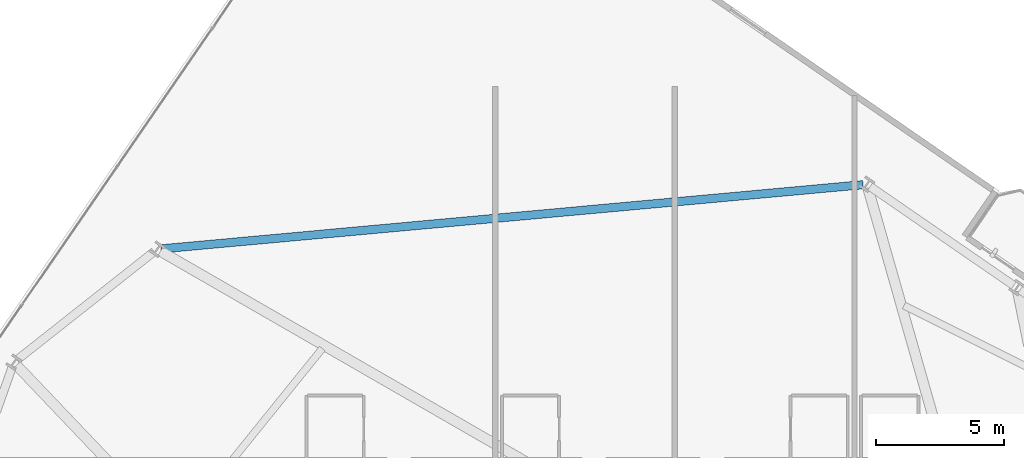
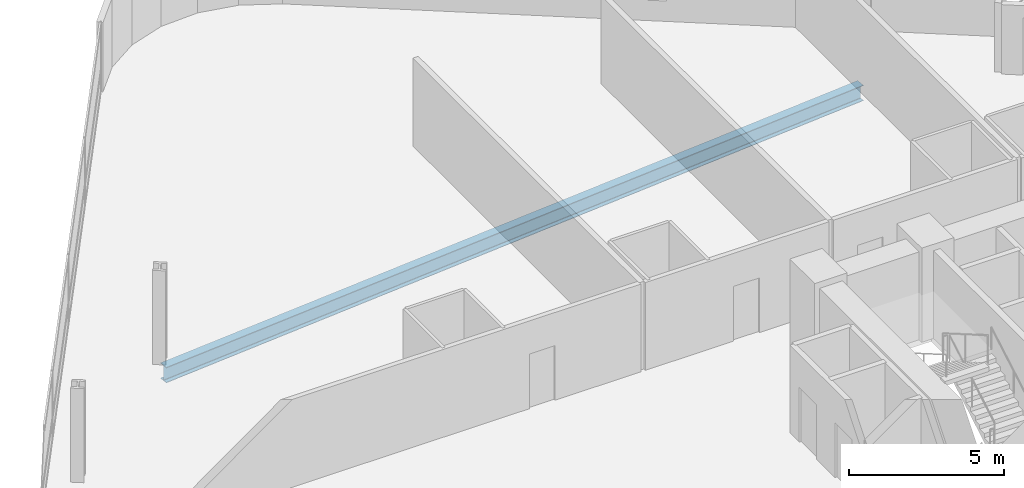
# One storey, part 14 of 25: 1 beam.
"""IFC4 building model written with IfcOpenShell, lengths in metres."""

import ifcopenshell
import ifcopenshell.guid

model = None  # the IFC model being written
_history = None  # IfcOwnerHistory: only IFC2X3 demands one
_inside = {}  # id of a spatial element -> (the spatial element, [elements in it])
_under = {}  # id of a project, library or spatial element -> (it, [spatial elements below it])
_declared = {}  # id of a project -> (the project, [libraries it declares])
_typed = {}  # id of a type object -> (the type object, [elements of that type])
_made_of = {}  # id of a material, layer set ... -> (it, [elements and type objects made of it])


def new_model(schema):
    """Start an empty IFC model of exactly this schema.

    Asked for "IFC4X3", IfcOpenShell would pick the latest addendum, in which some entities
    have other attributes; the version numbers below select the first issue.
    IFC2X3 requires an IfcOwnerHistory on every rooted entity: one is made here for all.
    """
    global model, _history
    if schema == "IFC4X3":
        model = ifcopenshell.file(schema_version=(4, 3, 0, 0))
    else:
        model = ifcopenshell.file(schema=schema)
    _inside.clear()
    _under.clear()
    _declared.clear()
    _typed.clear()
    _made_of.clear()
    _history = None
    if model.schema == "IFC2X3":
        org = make("IfcOrganization", Name="unknown")
        user = make(
            "IfcPersonAndOrganization",
            ThePerson=make("IfcPerson", FamilyName="unknown"),
            TheOrganization=org,
        )
        app = make(
            "IfcApplication",
            ApplicationDeveloper=org,
            Version="unknown",
            ApplicationFullName="unknown",
            ApplicationIdentifier="unknown",
        )
        _history = make(
            "IfcOwnerHistory",
            OwningUser=user,
            OwningApplication=app,
            ChangeAction="ADDED",
            CreationDate=0,
        )
    return model


def make(cls, **values):
    """One entity of the class cls with the attributes given. An attribute that is None is left unset."""
    return model.create_entity(
        cls, **{name: value for name, value in values.items() if value is not None}
    )


def rooted(cls, **values):
    """An entity with a GlobalId (a new one), such as an element, a storey or a relation."""
    return make(cls, GlobalId=ifcopenshell.guid.new(), OwnerHistory=_history, **values)


def si_unit(unit_type, name, prefix=None):
    """IfcSIUnit, for example si_unit("LENGTHUNIT", "METRE", prefix="MILLI")."""
    return make("IfcSIUnit", UnitType=unit_type, Prefix=prefix, Name=name)


def assignment(units):
    """IfcUnitAssignment: the units of a project."""
    return None if units is None else make("IfcUnitAssignment", Units=units)


def point(xyz):
    """IfcCartesianPoint."""
    return None if xyz is None else make("IfcCartesianPoint", Coordinates=xyz)


def direction(xyz):
    """IfcDirection."""
    return None if xyz is None else make("IfcDirection", DirectionRatios=xyz)


def frame(location, z_axis=None, x_axis=None):
    """IfcAxis2Placement3D, a coordinate frame: its origin and axes. An axis left out is left unset."""
    return make(
        "IfcAxis2Placement3D",
        Location=point(location),
        Axis=direction(z_axis),
        RefDirection=direction(x_axis),
    )


def frame_2d(location, x_axis=None):
    """IfcAxis2Placement2D, a coordinate frame in the plane: its origin and x axis."""
    return make(
        "IfcAxis2Placement2D", Location=point(location), RefDirection=direction(x_axis)
    )


def origin():
    """The frame at (0, 0, 0) with its axes left unset."""
    return frame((0.0, 0.0, 0.0))


def origin_2d():
    """The frame at (0, 0) in the plane with its x axis left unset."""
    return frame_2d((0.0, 0.0))


def place(relative_to, where):
    """IfcLocalPlacement: puts the frame where relative to a parent placement (None: the world)."""
    return make(
        "IfcLocalPlacement", PlacementRelTo=relative_to, RelativePlacement=where
    )


def context(
    kind, dimensions, precision=None, world=None, true_north=None, identifier=None
):
    """IfcGeometricRepresentationContext, for example the 3D "Model" context."""
    return make(
        "IfcGeometricRepresentationContext",
        ContextIdentifier=identifier,
        ContextType=kind,
        CoordinateSpaceDimension=dimensions,
        Precision=precision,
        WorldCoordinateSystem=world,
        TrueNorth=true_north,
    )


def subcontext(parent, identifier, kind, view, scale=None):
    """IfcGeometricRepresentationSubContext, for example "Body" below "Model"."""
    return make(
        "IfcGeometricRepresentationSubContext",
        ContextIdentifier=identifier,
        ContextType=kind,
        ParentContext=parent,
        TargetScale=scale,
        TargetView=view,
    )


def project(units=None, contexts=None):
    """IfcProject with its units and contexts."""
    return rooted(
        "IfcProject",
        Name="project",
        RepresentationContexts=contexts,
        UnitsInContext=assignment(units),
    )


def spatial(cls, under=None, at=None, **own):
    """A site, building, storey or space (cls), placed at a placement, below another one or the project."""
    s = rooted(cls, ObjectPlacement=at, **own)
    if under is not None:
        _under.setdefault(under.id(), (under, []))[1].append(s)
    return s


def profile(cls, at=None, kind="AREA", **sizes):
    """A parametric profile (cls). Its sizes go by their IFC names, for example OverallWidth=200.0."""
    return make(cls, ProfileType=kind, Position=at, **sizes)


def i_section(**sizes):
    """IfcIShapeProfileDef."""
    return profile("IfcIShapeProfileDef", **sizes)


def extrude(swept, where, along, depth):
    """IfcExtrudedAreaSolid: the profile swept, set in the frame where, extruded along a direction by depth."""
    return make(
        "IfcExtrudedAreaSolid",
        SweptArea=swept,
        Position=where,
        ExtrudedDirection=direction(along),
        Depth=depth,
    )


def shape(context_of_items, identifier, shape_type, items):
    """IfcShapeRepresentation: the items that make up one representation, for example the "Body"."""
    return make(
        "IfcShapeRepresentation",
        ContextOfItems=context_of_items,
        RepresentationIdentifier=identifier,
        RepresentationType=shape_type,
        Items=items,
    )


def material(Name=None, Category=None):
    """IfcMaterial."""
    return make("IfcMaterial", Name=Name, Category=Category)


def material_profile(
    of_material, cross_section, Name=None, Category=None, Priority=None
):
    """IfcMaterialProfile: a cross section and its material."""
    return make(
        "IfcMaterialProfile",
        Name=Name,
        Material=of_material,
        Profile=cross_section,
        Priority=Priority,
        Category=Category,
    )


def profile_set(profiles, Name=None, composite=None):
    """IfcMaterialProfileSet."""
    return make(
        "IfcMaterialProfileSet",
        Name=Name,
        MaterialProfiles=profiles,
        CompositeProfile=composite,
    )


def made_of(thing, what):
    """Note that an element or type object is made of a material, layer set ...; save() writes the relation."""
    if what is not None:
        _made_of.setdefault(what.id(), (what, []))[1].append(thing)
    return thing


def type_object(cls, material=None, **own):
    """A type object (cls), such as IfcWallType, which elements share."""
    return made_of(rooted(cls, **own), material)


def element(
    cls,
    number,
    at=None,
    inside=None,
    cuts=None,
    type_object=None,
    material=None,
    context=None,
    identifier="Body",
    shape_type=None,
    held_by="IfcProductDefinitionShape",
    body=None,
    shapes=None,
    **own,
):
    """One element of the class cls, such as IfcWall. Its Tag is "e" and its number.

    at: its placement. inside: the storey or other place that contains it. cuts: it is an
    opening in that element (IfcRelVoidsElement). A single representation is given by context,
    identifier, shape_type and body (its items); several are given by shapes. held_by: the class
    of the entity that holds the representations. save() writes the other relations.
    """
    e = rooted(cls, Tag="e%d" % number, ObjectPlacement=at, **own)
    if body is not None:
        shapes = [shape(context, identifier, shape_type, body)]
    if shapes is not None:
        e.Representation = make(held_by, Representations=shapes)
    if inside is not None:
        _inside.setdefault(inside.id(), (inside, []))[1].append(e)
    if cuts is not None:
        rooted(
            "IfcRelVoidsElement", RelatingBuildingElement=cuts, RelatedOpeningElement=e
        )
    if type_object is not None:
        _typed.setdefault(type_object.id(), (type_object, []))[1].append(e)
    return made_of(e, material)


def aggregate(whole, parts):
    """IfcRelAggregates: a whole, such as a stair, and the parts it consists of."""
    return rooted("IfcRelAggregates", RelatingObject=whole, RelatedObjects=parts)


def save(model, path):
    """Write the relations noted so far, then the file.

    IfcRelAggregates (storeys below a building ...), IfcRelContainedInSpatialStructure (elements
    in a storey), IfcRelDefinesByType, IfcRelAssociatesMaterial and IfcRelDeclares: one each for
    every whole, place, type object, material and project.
    """
    for whole, parts in _under.values():
        aggregate(whole, parts)
    for where, things in _inside.values():
        rooted(
            "IfcRelContainedInSpatialStructure",
            RelatedElements=things,
            RelatingStructure=where,
        )
    for kind, things in _typed.values():
        rooted("IfcRelDefinesByType", RelatedObjects=things, RelatingType=kind)
    for what, things in _made_of.values():
        rooted("IfcRelAssociatesMaterial", RelatedObjects=things, RelatingMaterial=what)
    for by, libraries in _declared.values():
        rooted("IfcRelDeclares", RelatingContext=by, RelatedDefinitions=libraries)
    model.write(path)


model = new_model("IFC4")

# Units and contexts
model_context = context("Model", 3, precision=1e-05, world=origin(), true_north=direction((0.0, 1.0)))
body_context = subcontext(model_context, "Body", "Model", "MODEL_VIEW")
ifc_project = project(units=[si_unit("LENGTHUNIT", "METRE"), si_unit("AREAUNIT", "SQUARE_METRE"), si_unit("VOLUMEUNIT", "CUBIC_METRE"), si_unit("PLANEANGLEUNIT", "RADIAN"), si_unit("MASSUNIT", "GRAM", prefix="KILO")], contexts=[model_context])

# Site, building, storey
site_placement = place(None, origin())
site = spatial("IfcSite", under=ifc_project, at=site_placement, CompositionType="ELEMENT")
building_placement = place(site_placement, origin())
building = spatial("IfcBuilding", under=site, at=building_placement, Name="Varnelok Gate Tower", CompositionType="ELEMENT")
storey_placement = place(building_placement, frame((0.0, 0.0, 34.39990234375)))
storey = spatial("IfcBuildingStorey", under=building, at=storey_placement, Name="L07", CompositionType="ELEMENT", Elevation=34.39990234375)

# Beam
ifc_material = material(Name="Structural Steel ASTM A992 Grade 50", Category="steel")
ifc_material_profile = material_profile(ifc_material, i_section(OverallWidth=0.323974609375, OverallDepth=0.611083984375, WebThickness=0.0126953125, FlangeThickness=0.01904296875, FilletRadius=0.01806640625, at=origin_2d()), Name="W24X104")
ifc_profile_set = profile_set([ifc_material_profile], Name="Structural Steel ASTM A992 Grade 50")
beam_type = type_object("IfcBeamType", Name="BM-SPN-W24X104", PredefinedType="SPANDREL", material=ifc_profile_set)
beam_placement = place(storey_placement, frame((39.8359375, 52.163818359375, -0.555419921875), z_axis=(-0.995845891963, -0.091054705864, 0.0), x_axis=(0.091054705864, -0.995845891963, 0.0)))
element("IfcBeam", 1, at=beam_placement, inside=storey, type_object=beam_type, Name="L07 Perimeter Spandrel Beam 13", PredefinedType="SPANDREL", context=body_context, shape_type="SweptSolid", body=[
    extrude(i_section(OverallWidth=0.323974609375, OverallDepth=0.611083984375, WebThickness=0.0126953125, FlangeThickness=0.01904296875, FilletRadius=0.01806640625, at=origin_2d()), origin(), (0.0, 0.0, 1.0), 27.485595703125),
])

save(model, "model.ifc")
